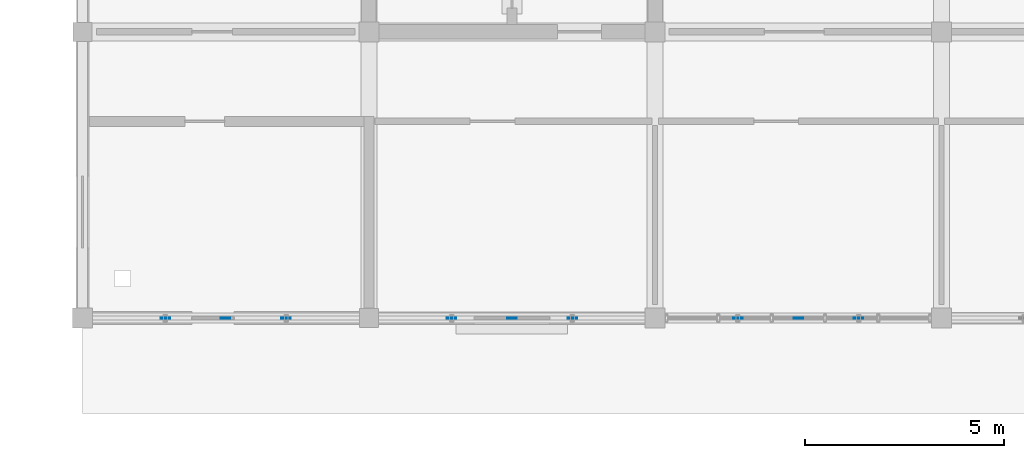
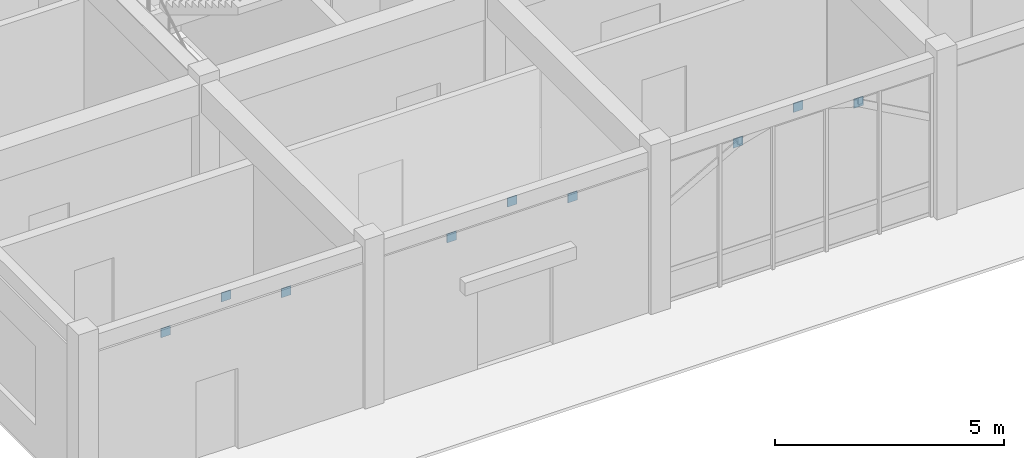
# One storey, part 67 of 138: 9 plates.
"""IFC4 building model written with IfcOpenShell, lengths in metres."""

from ifc_helpers import new_model, si_unit, direction, frame, origin, origin_2d, place, context, subcontext, project, spatial, rectangle, extrude, material, layer, layer_set, type_object, element, save


model = new_model("IFC4")

# Units and contexts
model_context = context("Model", 3, precision=1e-05, world=origin(), true_north=direction((0.0, 1.0)))
body_context = subcontext(model_context, "Body", "Model", "MODEL_VIEW")
ifc_project = project(units=[si_unit("LENGTHUNIT", "METRE"), si_unit("AREAUNIT", "SQUARE_METRE"), si_unit("VOLUMEUNIT", "CUBIC_METRE"), si_unit("PLANEANGLEUNIT", "RADIAN"), si_unit("MASSUNIT", "GRAM", prefix="KILO"), si_unit("THERMODYNAMICTEMPERATUREUNIT", "KELVIN"), si_unit("POWERUNIT", "WATT")], contexts=[model_context])

# Site, building, storey
site_placement = place(None, origin())
site = spatial("IfcSite", under=ifc_project, at=site_placement, CompositionType="ELEMENT")
building_placement = place(site_placement, origin())
building = spatial("IfcBuilding", under=site, at=building_placement, Name="Tavuni Mirador Residences", CompositionType="ELEMENT")
storey_placement = place(building_placement, origin())
storey = spatial("IfcBuildingStorey", under=building, at=storey_placement, Name="L00", CompositionType="ELEMENT", Elevation=0.0)

# Plates
ifc_material = material(Name="Structural steel S355", Category="steel")
ifc_layer = layer(ifc_material, 0.01806640625, Name="Structural steel S355", Category="steel")
ifc_layer_set = layer_set([ifc_layer], Name="Structural steel S355")
plate_type = type_object("IfcPlateType", Name="PLT-GP05", PredefinedType="USERDEFINED", material=ifc_layer_set)
for number, where, z_axis, x_axis, name in (
    (1, (48.882080078125, 7.199951171875, 3.509765625), (0.0, 0.0, 1.0), (1.0, 0.0, 0.0), "ARCH-SHOP-S-00-GQ1"),
    (2, (50.39990234375, 7.199951171875, 3.93017578125), (0.0, 0.0, 1.0), (1.0, 0.0, 0.0), "ARCH-SHOP-S-00-GCR"),
    (3, (51.91796875, 7.199951171875, 3.509765625), (0.0, 0.0, 1.0), (1.0, 0.0, 0.0), "ARCH-SHOP-S-00-GQ2"),
    (4, (56.08203125, 7.199951171875, 3.509765625), (0.0, 0.0, 1.0), (1.0, 0.0, 0.0), "ARCH-SHOP-S-01-GQ1"),
    (5, (57.60009765625, 7.199951171875, 3.93017578125), (0.0, 0.0, 1.0), (1.0, 0.0, 0.0), "ARCH-SHOP-S-01-GCR"),
    (6, (59.117919921875, 7.199951171875, 3.509765625), (0.0, 0.0, 1.0), (1.0, 0.0, 0.0), "ARCH-SHOP-S-01-GQ2"),
    (7, (63.281982421875, 7.199951171875, 3.509765625), (0.0, 0.0, 1.0), (1.0, 0.0, 0.0), "ARCH-SHOP-S-02-GQ1"),
    (8, (64.800048828125, 7.199951171875, 3.93017578125), (0.0, 0.0, 1.0), (1.0, 0.0, 0.0), "ARCH-SHOP-S-02-GCR"),
    (9, (66.318115234375, 7.199951171875, 3.509765625), (0.0, 0.0, 1.0), (1.0, 0.0, 0.0), "ARCH-SHOP-S-02-GQ2"),
):
    element("IfcPlate", number, at=place(storey_placement, frame(where, z_axis=z_axis, x_axis=x_axis)), inside=storey, type_object=plate_type, Name=name, ObjectType="GUSSET PLATE", PredefinedType="USERDEFINED", context=body_context, shape_type="SweptSolid", body=[
        extrude(rectangle(XDim=0.239990234375, YDim=0.02001953125, at=origin_2d()), origin(), (0.0, 0.0, 1.0), 0.239990234375),
    ])

save(model, "model.ifc")
